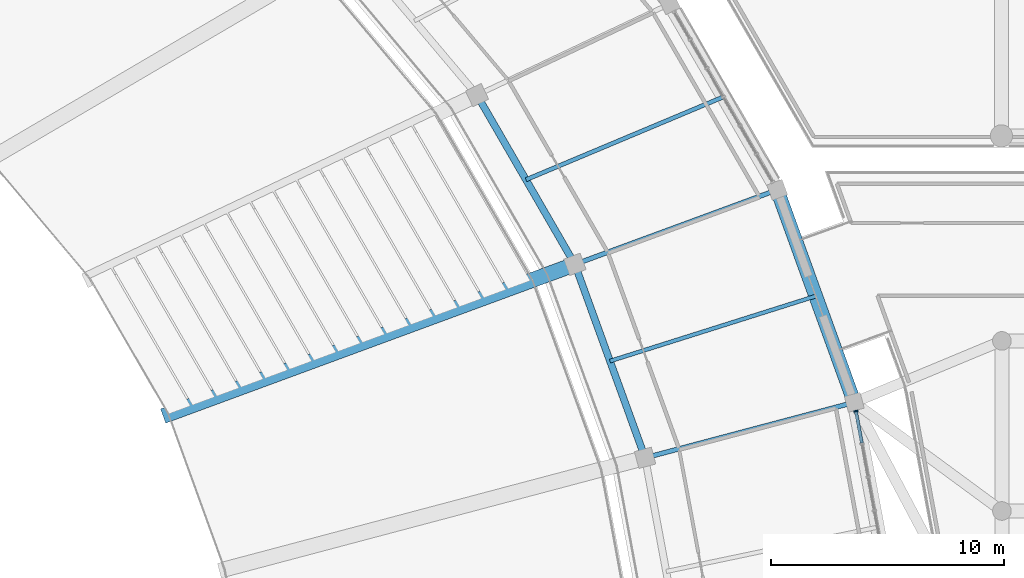
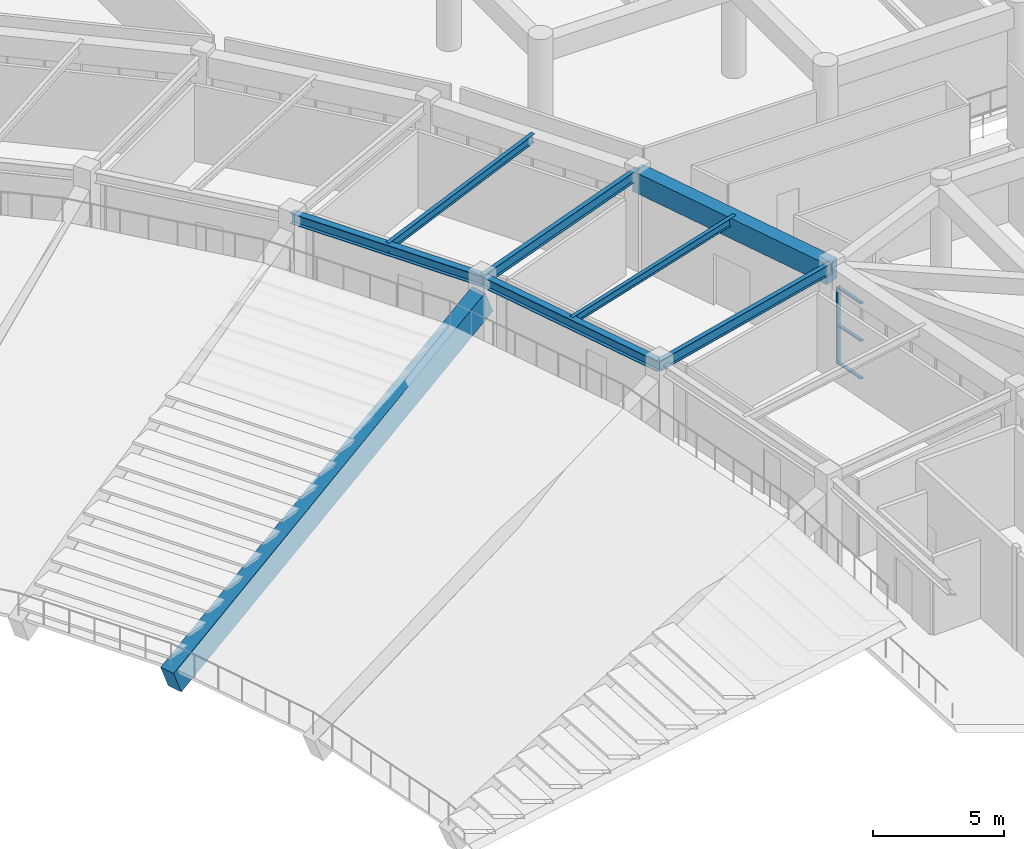
# One storey, part 49 of 137: 8 beams, 4 members, 1 element without a shape of its own.
"""IFC4 building model written with IfcOpenShell, lengths in metres."""

from ifc_helpers import new_model, si_unit, direction, frame, origin, origin_2d, place, context, subcontext, project, spatial, rectangle, i_section, extrude, material, layer, layer_set, material_profile, profile_set, type_object, element, aggregate, save


model = new_model("IFC4")

# Units and contexts
model_context = context("Model", 3, precision=1e-05, world=origin(), true_north=direction((0.0, 1.0)))
body_context = subcontext(model_context, "Body", "Model", "MODEL_VIEW")
ifc_project = project(units=[si_unit("LENGTHUNIT", "METRE"), si_unit("AREAUNIT", "SQUARE_METRE"), si_unit("VOLUMEUNIT", "CUBIC_METRE"), si_unit("PLANEANGLEUNIT", "RADIAN"), si_unit("MASSUNIT", "GRAM", prefix="KILO")], contexts=[model_context])

# Site, building, storey
site_placement = place(None, origin())
site = spatial("IfcSite", under=ifc_project, at=site_placement, CompositionType="ELEMENT")
building_placement = place(site_placement, origin())
building = spatial("IfcBuilding", under=site, at=building_placement, Name="Mphavela Belvedere Stadium", CompositionType="ELEMENT")
storey_placement = place(building_placement, frame((0.0, 0.0, 19.199951171875)))
storey = spatial("IfcBuildingStorey", under=building, at=storey_placement, Name="L04", CompositionType="ELEMENT", Elevation=19.199951171875)

# Beams
ifc_material_1 = material(Name="Concrete C40/50", Category="concrete")
ifc_material_profile_1 = material_profile(ifc_material_1, rectangle(XDim=0.60009765625, YDim=0.949951171875, at=origin_2d()), Name="RC 600x950")
ifc_profile_set_1 = profile_set([ifc_material_profile_1], Name="Concrete C40/50")
beam_type_1 = type_object("IfcBeamType", Name="BM-ENTABLATURE-950", PredefinedType="SPANDREL", material=ifc_profile_set_1)
beam_1_placement = place(storey_placement, frame((215.16455078125, 113.5625, 4.074951171875), z_axis=(-0.341017570596, 0.94005692197, 0.0), x_axis=(-0.94005692197, -0.341017570596, 0.0)))
element("IfcBeam", 1, at=beam_1_placement, inside=storey, type_object=beam_type_1, Name="Circumferential girder L04 R4-03", PredefinedType="SPANDREL", context=body_context, shape_type="SweptSolid", body=[
    extrude(rectangle(XDim=0.60009765625, YDim=0.949951171875, at=origin_2d()), origin(), (0.0, 0.0, 1.0), 9.701416015625),
])
ifc_material_2 = material(Name="Steel S355", Category="steel")
ifc_material_profile_2 = material_profile(ifc_material_2, i_section(OverallWidth=0.169921875, OverallDepth=0.360107421875, WebThickness=0.008056640625, FlangeThickness=0.0126953125, at=origin_2d()), Name="IPE 360")
ifc_profile_set_2 = profile_set([ifc_material_profile_2], Name="Steel S355")
beam_type_2 = type_object("IfcBeamType", Name="BM-JOIST-IPE360", PredefinedType="JOIST", material=ifc_profile_set_2)
beam_2_placement = place(storey_placement, frame((204.681640625, 115.3330078125, 4.3701171875), z_axis=(0.953544002003, 0.301253773826, 0.0), x_axis=(-0.301253773826, 0.953544002003, 0.0)))
element("IfcBeam", 2, at=beam_2_placement, inside=storey, type_object=beam_type_2, Name="Concourse floor joist L04-03", PredefinedType="JOIST", context=body_context, shape_type="SweptSolid", body=[
    extrude(i_section(OverallWidth=0.169921875, OverallDepth=0.360107421875, WebThickness=0.008056640625, FlangeThickness=0.0126953125, at=origin_2d()), origin(), (0.0, 0.0, 1.0), 9.259033203125),
])
ifc_material_3 = material(Name="Steel S355", Category="steel")
ifc_material_profile_3 = material_profile(ifc_material_3, i_section(OverallWidth=0.179931640625, OverallDepth=0.39990234375, WebThickness=0.008544921875, FlangeThickness=0.013427734375, at=origin_2d()), Name="IPE 400")
ifc_profile_set_3 = profile_set([ifc_material_profile_3], Name="Steel S355")
beam_type_3 = type_object("IfcBeamType", Name="BM-JOIST-IPE400", PredefinedType="JOIST", material=ifc_profile_set_3)
beam_3_placement = place(storey_placement, frame((201.07568359375, 123.116455078125, 4.35009765625), z_axis=(0.922118257552, 0.3869081533, 0.0), x_axis=(-0.3869081533, 0.922118257552, 0.0)))
element("IfcBeam", 3, at=beam_3_placement, inside=storey, type_object=beam_type_3, Name="Concourse floor joist L04-04", PredefinedType="JOIST", context=body_context, shape_type="SweptSolid", body=[
    extrude(i_section(OverallWidth=0.179931640625, OverallDepth=0.39990234375, WebThickness=0.008544921875, FlangeThickness=0.013427734375, at=origin_2d()), origin(), (0.0, 0.0, 1.0), 9.189208984375),
])
ifc_material_4 = material(Name="Precast concrete C45/55", Category="concrete")
ifc_material_profile_4 = material_profile(ifc_material_4, rectangle(XDim=0.64990234375, YDim=1.199951171875, at=origin_2d()), Name="PC 650x1200")
ifc_profile_set_4 = profile_set([ifc_material_profile_4], Name="Precast concrete C45/55")
beam_type_4 = type_object("IfcBeamType", Name="BM-RAKER-UPPER", PredefinedType="USERDEFINED", material=ifc_profile_set_4)
beam_4_placement = place(storey_placement, frame((185.72314453125, 113.0546875, -4.349853515625), z_axis=(0.866159020373, 0.319104203127, 0.384631068654), x_axis=(-0.345698667521, 0.938345582008, 0.0)))
element("IfcBeam", 4, at=beam_4_placement, inside=storey, type_object=beam_type_4, Name="Upper tier precast cantilever raker beam RK-U-04", ObjectType="RAKER BEAM", PredefinedType="USERDEFINED", context=body_context, shape_type="SweptSolid", body=[
    extrude(rectangle(XDim=0.64990234375, YDim=1.199951171875, at=origin_2d()), origin(), (0.0, 0.0, 1.0), 20.149169921875),
])
ifc_material_5 = material(Name="Steel S355", Category="steel")
ifc_material_profile_5 = material_profile(ifc_material_5, i_section(OverallWidth=0.300048828125, OverallDepth=0.489990234375, WebThickness=0.011962890625, FlangeThickness=0.02294921875, at=origin_2d()), Name="HEA 500")
ifc_profile_set_5 = profile_set([ifc_material_profile_5], Name="Steel S355")
beam_type_5 = type_object("IfcBeamType", Name="BM-STEEL-HEA500", PredefinedType="BEAM", material=ifc_profile_set_5)
beam_5_placement = place(storey_placement, frame((206.1875, 111.181884765625, 4.304931640625), z_axis=(-0.341030504348, 0.940052229987, 0.0), x_axis=(-0.940052229987, -0.341030504348, 0.0)))
element("IfcBeam", 5, at=beam_5_placement, inside=storey, type_object=beam_type_5, Name="Circumferential girder L04 R3-03", PredefinedType="BEAM", context=body_context, shape_type="SweptSolid", body=[
    extrude(i_section(OverallWidth=0.300048828125, OverallDepth=0.489990234375, WebThickness=0.011962890625, FlangeThickness=0.02294921875, at=origin_2d()), origin(), (0.0, 0.0, 1.0), 8.83203125),
])
beam_6_placement = place(storey_placement, frame((203.175537109375, 119.484375, 4.304931640625), z_axis=(-0.500547586322, 0.865709023765, 0.0), x_axis=(-0.865709023765, -0.500547586322, 0.0)))
element("IfcBeam", 6, at=beam_6_placement, inside=storey, type_object=beam_type_5, Name="Circumferential girder L04 R3-04", PredefinedType="BEAM", context=body_context, shape_type="SweptSolid", body=[
    extrude(i_section(OverallWidth=0.300048828125, OverallDepth=0.489990234375, WebThickness=0.011962890625, FlangeThickness=0.02294921875, at=origin_2d()), origin(), (0.0, 0.0, 1.0), 8.390625),
])
ifc_material_6 = material(Name="Steel S355", Category="steel")
ifc_material_profile_6 = material_profile(ifc_material_6, i_section(OverallWidth=0.199951171875, OverallDepth=0.5, WebThickness=0.01025390625, FlangeThickness=0.01611328125, at=origin_2d()), Name="IPE 500")
ifc_profile_set_6 = profile_set([ifc_material_profile_6], Name="Steel S355")
beam_type_6 = type_object("IfcBeamType", Name="BM-STEEL-IPE500", PredefinedType="BEAM", material=ifc_profile_set_6)
beam_7_placement = place(storey_placement, frame((206.1875, 111.181884765625, 4.300048828125), z_axis=(0.966589609073, 0.256328944196, 0.0), x_axis=(-0.256328944196, 0.966589609073, 0.0)))
element("IfcBeam", 7, at=beam_7_placement, inside=storey, type_object=beam_type_6, Name="Radial concourse girder L04 R3R4-03", PredefinedType="BEAM", context=body_context, shape_type="SweptSolid", body=[
    extrude(i_section(OverallWidth=0.199951171875, OverallDepth=0.5, WebThickness=0.01025390625, FlangeThickness=0.01611328125, at=origin_2d()), origin(), (0.0, 0.0, 1.0), 9.287353515625),
])
beam_8_placement = place(storey_placement, frame((203.175537109375, 119.484375, 4.300048828125), z_axis=(0.938348073025, 0.345691905967, 0.0), x_axis=(-0.345691905967, 0.938348073025, 0.0)))
element("IfcBeam", 8, at=beam_8_placement, inside=storey, type_object=beam_type_6, Name="Radial concourse girder L04 R3R4-04", PredefinedType="BEAM", context=body_context, shape_type="SweptSolid", body=[
    extrude(i_section(OverallWidth=0.199951171875, OverallDepth=0.5, WebThickness=0.01025390625, FlangeThickness=0.01611328125, at=origin_2d()), origin(), (0.0, 0.0, 1.0), 9.2509765625),
])

# Curtain wall, members
ifc_material_7 = material(Name="Anodised bronze unitised curtain wall framing")
ifc_layer = layer(ifc_material_7, 0.205078125)
ifc_layer_set = layer_set([ifc_layer], Name="Anodised bronze unitised curtain wall framing")
curtain_wall_type = type_object("IfcCurtainWallType", Name="CW-UNIT-06", PredefinedType="USERDEFINED", material=ifc_layer_set)
curtain_wall_placement = place(storey_placement, origin())
curtain_wall = element("IfcCurtainWall", 9, at=curtain_wall_placement, inside=storey, type_object=curtain_wall_type, Name="Belvedere colonnade curtain wall L04-02", ObjectType="UNITISED CURTAIN WALL", PredefinedType="USERDEFINED")
ifc_material_8 = material(Name="Anodised bronze extruded aluminium", Category="aluminium")
ifc_material_profile_7 = material_profile(ifc_material_8, rectangle(XDim=0.179931640625, YDim=0.06494140625, at=origin_2d()), Name="CW-MUL 180x65")
ifc_profile_set_7 = profile_set([ifc_material_profile_7], Name="Anodised bronze extruded aluminium")
member_type_1 = type_object("IfcMemberType", Name="CWM-180x65", PredefinedType="MULLION", material=ifc_profile_set_7)
member_1_placement = place(storey_placement, frame((215.234130859375, 113.1884765625, 0.0), z_axis=(0.0, 0.0, 1.0), x_axis=(-0.98318393569, -0.182618040183, 0.0)))
member_1 = element("IfcMember", 10, at=member_1_placement, type_object=member_type_1, Name="CW-06 mullion 8", PredefinedType="MULLION", context=body_context, shape_type="SweptSolid", body=[
    extrude(rectangle(XDim=0.179931640625, YDim=0.06494140625, at=origin_2d()), origin(), (0.0, 0.0, 1.0), 3.570068359375),
])
ifc_material_9 = material(Name="Anodised bronze extruded aluminium", Category="aluminium")
ifc_material_profile_8 = material_profile(ifc_material_9, rectangle(XDim=0.139892578125, YDim=0.06005859375, at=origin_2d()), Name="CW-TRN 140x60")
ifc_profile_set_8 = profile_set([ifc_material_profile_8], Name="Anodised bronze extruded aluminium")
member_type_2 = type_object("IfcMemberType", Name="CWT-140x60", PredefinedType="USERDEFINED", material=ifc_profile_set_8)
member_2_placement = place(storey_placement, frame((215.488525390625, 111.819091796875, 0.030029296875), z_axis=(-0.182706201603, 0.983167556369, 0.0), x_axis=(-0.983167556369, -0.182706201603, 0.0)))
member_2 = element("IfcMember", 11, at=member_2_placement, type_object=member_type_2, Name="CW-06 transom 7.1", ObjectType="TRANSOM", PredefinedType="USERDEFINED", context=body_context, shape_type="SweptSolid", body=[
    extrude(rectangle(XDim=0.139892578125, YDim=0.06005859375, at=origin_2d()), origin(), (0.0, 0.0, 1.0), 1.3603515625),
])
member_3_placement = place(storey_placement, frame((215.488525390625, 111.819091796875, 1.78515625), z_axis=(-0.182706201603, 0.983167556369, 0.0), x_axis=(-0.983167556369, -0.182706201603, 0.0)))
member_3 = element("IfcMember", 12, at=member_3_placement, type_object=member_type_2, Name="CW-06 transom 7.2", ObjectType="TRANSOM", PredefinedType="USERDEFINED", context=body_context, shape_type="SweptSolid", body=[
    extrude(rectangle(XDim=0.139892578125, YDim=0.06005859375, at=origin_2d()), origin(), (0.0, 0.0, 1.0), 1.3603515625),
])
member_4_placement = place(storey_placement, frame((215.488525390625, 111.819091796875, 3.5400390625), z_axis=(-0.182706201603, 0.983167556369, 0.0), x_axis=(-0.983167556369, -0.182706201603, 0.0)))
member_4 = element("IfcMember", 13, at=member_4_placement, type_object=member_type_2, Name="CW-06 transom 7.3", ObjectType="TRANSOM", PredefinedType="USERDEFINED", context=body_context, shape_type="SweptSolid", body=[
    extrude(rectangle(XDim=0.139892578125, YDim=0.06005859375, at=origin_2d()), origin(), (0.0, 0.0, 1.0), 1.3603515625),
])
aggregate(curtain_wall, [member_1, member_2, member_3, member_4])

save(model, "model.ifc")
